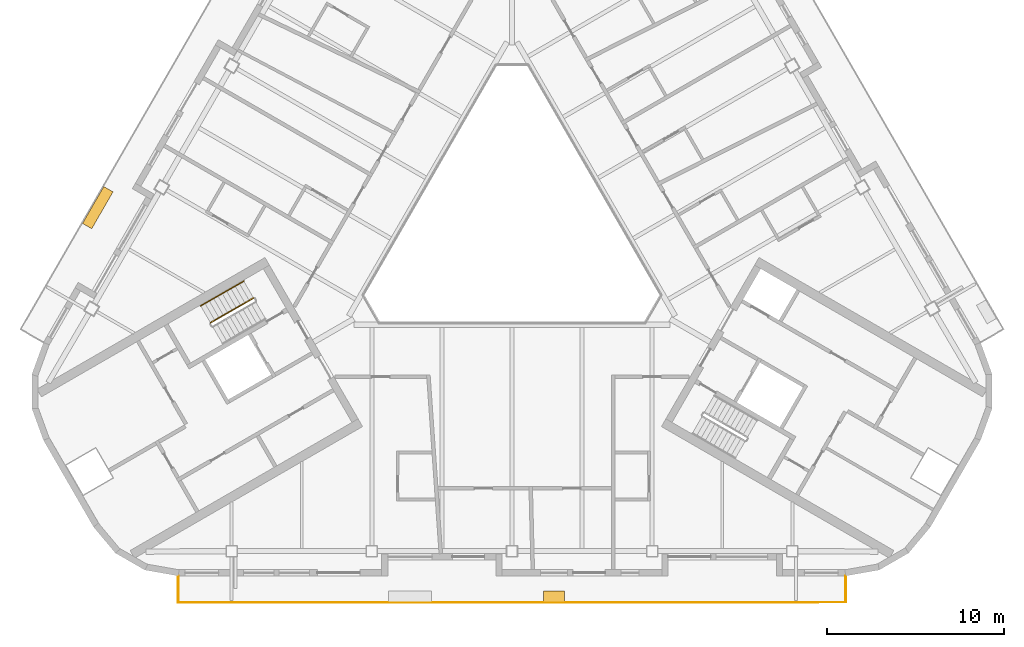
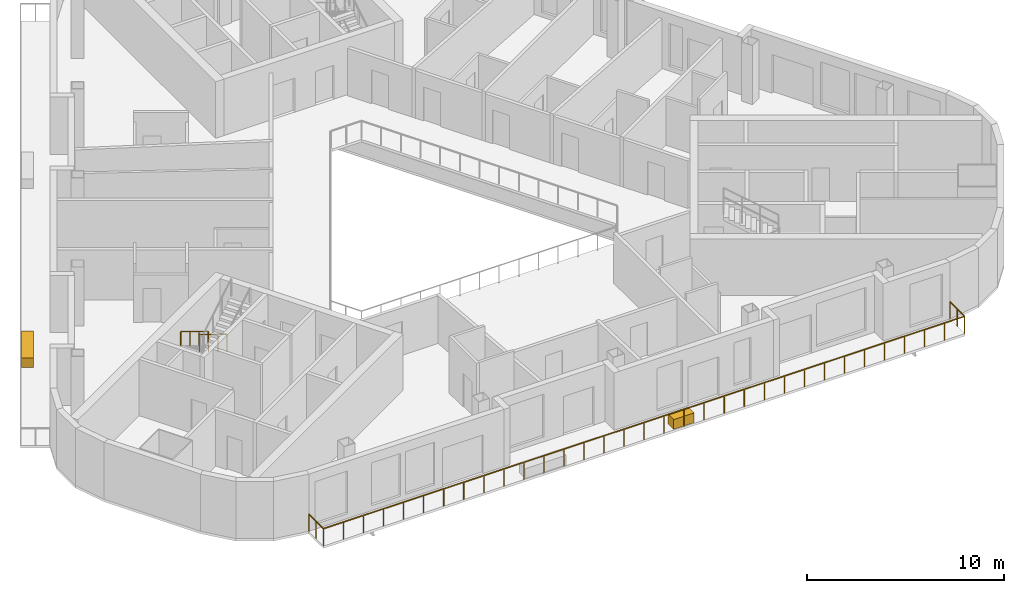
# One storey, part 10 of 14: 3 railings, 2 coverings.
"""IFC4 building model written with IfcOpenShell, lengths in metres."""

from ifc_helpers import new_model, si_unit, direction, frame, origin, origin_2d, place, context, subcontext, project, spatial, rectangle, circle, extrude, material, type_object, element, save


model = new_model("IFC4")

# Units and contexts
model_context = context("Model", 3, precision=1e-05, world=origin(), true_north=direction((0.0, 1.0)))
body_context = subcontext(model_context, "Body", "Model", "MODEL_VIEW")
ifc_project = project(units=[si_unit("LENGTHUNIT", "METRE"), si_unit("AREAUNIT", "SQUARE_METRE"), si_unit("VOLUMEUNIT", "CUBIC_METRE"), si_unit("PLANEANGLEUNIT", "RADIAN"), si_unit("MASSUNIT", "GRAM", prefix="KILO")], contexts=[model_context])

# Site, building, storey
site_placement = place(None, origin())
site = spatial("IfcSite", under=ifc_project, at=site_placement, CompositionType="ELEMENT")
building_placement = place(site_placement, origin())
building = spatial("IfcBuilding", under=site, at=building_placement, Name="Apuvela Tower Hotel", CompositionType="ELEMENT")
storey_placement = place(building_placement, frame((0.0, 0.0, 250.39990234375)))
storey = spatial("IfcBuildingStorey", under=building, at=storey_placement, Name="L61", CompositionType="ELEMENT", Elevation=250.39990234375)

# Railings
ifc_material_1 = material(Name="Steel S275 balustrade", Category="steel")
railing_type_1 = type_object("IfcRailingType", Name="COR-GUARD-1100", PredefinedType="GUARDRAIL", material=ifc_material_1)
railing_1_placement = place(storey_placement, frame((-14.569091796875, -3.9658203125, 0.168212890625)))
element("IfcRailing", 1, at=railing_1_placement, inside=storey, type_object=railing_type_1, Name="L61 ST2 stair guard 1", PredefinedType="GUARDRAIL", context=body_context, shape_type="SweptSolid", body=[
    extrude(rectangle(XDim=0.048095703125, YDim=0.048095703125, at=origin_2d()), frame((0.0, 0.0, 1.076171875), z_axis=(-0.742390482028, -0.42860119049, 0.514934356695), x_axis=(0.49998411664, -0.866034573852, 0.0)), (0.0, 0.0, 1.0), 3.26611328125),
    extrude(rectangle(XDim=0.0419921875, YDim=0.0419921875, at=origin_2d()), origin(), (0.0, 0.0, 1.0), 1.052001953125),
    extrude(rectangle(XDim=0.0419921875, YDim=0.0419921875, at=origin_2d()), frame((-0.808349609375, -0.466552734375, 0.560546875)), (0.0, 0.0, 1.0), 1.052001953125),
    extrude(rectangle(XDim=0.0419921875, YDim=0.0419921875, at=origin_2d()), frame((-1.616455078125, -0.933349609375, 1.121337890625)), (0.0, 0.0, 1.0), 1.052001953125),
    extrude(rectangle(XDim=0.0419921875, YDim=0.0419921875, at=origin_2d()), frame((-2.4248046875, -1.39990234375, 1.681884765625)), (0.0, 0.0, 1.0), 1.052001953125),
])
ifc_material_2 = material(Name="Stainless steel 316 handrail", Category="steel")
railing_type_2 = type_object("IfcRailingType", Name="COR-HANDRAIL-900", PredefinedType="HANDRAIL", material=ifc_material_2)
railing_2_placement = place(storey_placement, frame((-15.118896484375, -3.01318359375, 0.168212890625)))
element("IfcRailing", 2, at=railing_2_placement, inside=storey, type_object=railing_type_2, Name="L61 ST2 stair handrail 1", PredefinedType="HANDRAIL", context=body_context, shape_type="SweptSolid", body=[
    extrude(circle(Radius=0.02392578125, at=origin_2d()), frame((0.0, 0.0, 0.8759765625), z_axis=(-0.742424030051, -0.428577407461, 0.514905783049), x_axis=(0.49994636267, -0.866056369097, 0.0)), (0.0, 0.0, 1.0), 3.266357421875),
    extrude(rectangle(XDim=0.0419921875, YDim=0.0419921875, at=origin_2d()), origin(), (0.0, 0.0, 1.0), 0.851806640625),
    extrude(rectangle(XDim=0.0419921875, YDim=0.0419921875, at=origin_2d()), frame((-0.808349609375, -0.466552734375, 0.560546875)), (0.0, 0.0, 1.0), 0.851806640625),
    extrude(rectangle(XDim=0.0419921875, YDim=0.0419921875, at=origin_2d()), frame((-1.61669921875, -0.933349609375, 1.121337890625)), (0.0, 0.0, 1.0), 0.851806640625),
    extrude(rectangle(XDim=0.0419921875, YDim=0.0419921875, at=origin_2d()), frame((-2.425048828125, -1.39990234375, 1.681884765625)), (0.0, 0.0, 1.0), 0.851806640625),
])
ifc_material_3 = material(Name="Stainless steel 316 rail with laminated glass infill", Category="steel")
railing_type_3 = type_object("IfcRailingType", Name="ENV-GUARD-1100", PredefinedType="GUARDRAIL", material=ifc_material_3)
railing_3_placement = place(storey_placement, frame((-18.81591796875, -19.6298828125, 0.0)))
element("IfcRailing", 3, at=railing_3_placement, inside=storey, type_object=railing_type_3, Name="Balcony guard S L61", PredefinedType="GUARDRAIL", context=body_context, shape_type="SweptSolid", body=[
    extrude(rectangle(XDim=0.050048828125, YDim=0.050048828125, at=origin_2d()), frame((0.0, 0.0, 1.0751953125), z_axis=(0.0, -1.0, 0.0), x_axis=(1.0, 0.0, 0.0)), (0.0, 0.0, 1.0), 1.5),
    extrude(rectangle(XDim=0.050048828125, YDim=0.050048828125, at=origin_2d()), frame((0.0, -1.5, 1.0751953125), z_axis=(1.0, 0.0, 0.0), x_axis=(0.0, 1.0, 0.0)), (0.0, 0.0, 1.0), 37.6318359375),
    extrude(rectangle(XDim=0.050048828125, YDim=0.050048828125, at=origin_2d()), frame((37.6318359375, -1.5, 1.0751953125), z_axis=(0.0, 1.0, 0.0), x_axis=(-1.0, 0.0, 0.0)), (0.0, 0.0, 1.0), 1.5),
    extrude(rectangle(XDim=0.0400390625, YDim=0.0400390625, at=origin_2d()), origin(), (0.0, 0.0, 1.0), 1.050048828125),
    extrude(rectangle(XDim=0.0400390625, YDim=0.0400390625, at=origin_2d()), frame((0.0, -0.75, 0.0)), (0.0, 0.0, 1.0), 1.050048828125),
    extrude(rectangle(XDim=0.0400390625, YDim=0.0400390625, at=origin_2d()), frame((0.0, -1.5, 0.0)), (0.0, 0.0, 1.0), 1.050048828125),
    extrude(rectangle(XDim=0.0400390625, YDim=0.0400390625, at=origin_2d()), frame((1.176025390625, -1.5, 0.0)), (0.0, 0.0, 1.0), 1.050048828125),
    extrude(rectangle(XDim=0.0400390625, YDim=0.0400390625, at=origin_2d()), frame((2.35205078125, -1.5, 0.0)), (0.0, 0.0, 1.0), 1.050048828125),
    extrude(rectangle(XDim=0.0400390625, YDim=0.0400390625, at=origin_2d()), frame((3.528076171875, -1.5, 0.0)), (0.0, 0.0, 1.0), 1.050048828125),
    extrude(rectangle(XDim=0.0400390625, YDim=0.0400390625, at=origin_2d()), frame((4.7041015625, -1.5, 0.0)), (0.0, 0.0, 1.0), 1.050048828125),
    extrude(rectangle(XDim=0.0400390625, YDim=0.0400390625, at=origin_2d()), frame((5.8798828125, -1.5, 0.0)), (0.0, 0.0, 1.0), 1.050048828125),
    extrude(rectangle(XDim=0.0400390625, YDim=0.0400390625, at=origin_2d()), frame((7.055908203125, -1.5, 0.0)), (0.0, 0.0, 1.0), 1.050048828125),
    extrude(rectangle(XDim=0.0400390625, YDim=0.0400390625, at=origin_2d()), frame((8.23193359375, -1.5, 0.0)), (0.0, 0.0, 1.0), 1.050048828125),
    extrude(rectangle(XDim=0.0400390625, YDim=0.0400390625, at=origin_2d()), frame((9.407958984375, -1.5, 0.0)), (0.0, 0.0, 1.0), 1.050048828125),
    extrude(rectangle(XDim=0.0400390625, YDim=0.0400390625, at=origin_2d()), frame((10.583984375, -1.5, 0.0)), (0.0, 0.0, 1.0), 1.050048828125),
    extrude(rectangle(XDim=0.0400390625, YDim=0.0400390625, at=origin_2d()), frame((11.760009765625, -1.5, 0.0)), (0.0, 0.0, 1.0), 1.050048828125),
    extrude(rectangle(XDim=0.0400390625, YDim=0.0400390625, at=origin_2d()), frame((12.93603515625, -1.5, 0.0)), (0.0, 0.0, 1.0), 1.050048828125),
    extrude(rectangle(XDim=0.0400390625, YDim=0.0400390625, at=origin_2d()), frame((14.11181640625, -1.5, 0.0)), (0.0, 0.0, 1.0), 1.050048828125),
    extrude(rectangle(XDim=0.0400390625, YDim=0.0400390625, at=origin_2d()), frame((15.287841796875, -1.5, 0.0)), (0.0, 0.0, 1.0), 1.050048828125),
    extrude(rectangle(XDim=0.0400390625, YDim=0.0400390625, at=origin_2d()), frame((16.4638671875, -1.5, 0.0)), (0.0, 0.0, 1.0), 1.050048828125),
    extrude(rectangle(XDim=0.0400390625, YDim=0.0400390625, at=origin_2d()), frame((17.639892578125, -1.5, 0.0)), (0.0, 0.0, 1.0), 1.050048828125),
    extrude(rectangle(XDim=0.0400390625, YDim=0.0400390625, at=origin_2d()), frame((18.81591796875, -1.5, 0.0)), (0.0, 0.0, 1.0), 1.050048828125),
    extrude(rectangle(XDim=0.0400390625, YDim=0.0400390625, at=origin_2d()), frame((19.991943359375, -1.5, 0.0)), (0.0, 0.0, 1.0), 1.050048828125),
    extrude(rectangle(XDim=0.0400390625, YDim=0.0400390625, at=origin_2d()), frame((21.16796875, -1.5, 0.0)), (0.0, 0.0, 1.0), 1.050048828125),
    extrude(rectangle(XDim=0.0400390625, YDim=0.0400390625, at=origin_2d()), frame((22.343994140625, -1.5, 0.0)), (0.0, 0.0, 1.0), 1.050048828125),
    extrude(rectangle(XDim=0.0400390625, YDim=0.0400390625, at=origin_2d()), frame((23.52001953125, -1.5, 0.0)), (0.0, 0.0, 1.0), 1.050048828125),
    extrude(rectangle(XDim=0.0400390625, YDim=0.0400390625, at=origin_2d()), frame((24.69580078125, -1.5, 0.0)), (0.0, 0.0, 1.0), 1.050048828125),
    extrude(rectangle(XDim=0.0400390625, YDim=0.0400390625, at=origin_2d()), frame((25.871826171875, -1.5, 0.0)), (0.0, 0.0, 1.0), 1.050048828125),
    extrude(rectangle(XDim=0.0400390625, YDim=0.0400390625, at=origin_2d()), frame((27.0478515625, -1.5, 0.0)), (0.0, 0.0, 1.0), 1.050048828125),
    extrude(rectangle(XDim=0.0400390625, YDim=0.0400390625, at=origin_2d()), frame((28.223876953125, -1.5, 0.0)), (0.0, 0.0, 1.0), 1.050048828125),
    extrude(rectangle(XDim=0.0400390625, YDim=0.0400390625, at=origin_2d()), frame((29.39990234375, -1.5, 0.0)), (0.0, 0.0, 1.0), 1.050048828125),
    extrude(rectangle(XDim=0.0400390625, YDim=0.0400390625, at=origin_2d()), frame((30.575927734375, -1.5, 0.0)), (0.0, 0.0, 1.0), 1.050048828125),
    extrude(rectangle(XDim=0.0400390625, YDim=0.0400390625, at=origin_2d()), frame((31.751953125, -1.5, 0.0)), (0.0, 0.0, 1.0), 1.050048828125),
    extrude(rectangle(XDim=0.0400390625, YDim=0.0400390625, at=origin_2d()), frame((32.927734375, -1.5, 0.0)), (0.0, 0.0, 1.0), 1.050048828125),
    extrude(rectangle(XDim=0.0400390625, YDim=0.0400390625, at=origin_2d()), frame((34.103759765625, -1.5, 0.0)), (0.0, 0.0, 1.0), 1.050048828125),
    extrude(rectangle(XDim=0.0400390625, YDim=0.0400390625, at=origin_2d()), frame((35.27978515625, -1.5, 0.0)), (0.0, 0.0, 1.0), 1.050048828125),
    extrude(rectangle(XDim=0.0400390625, YDim=0.0400390625, at=origin_2d()), frame((36.455810546875, -1.5, 0.0)), (0.0, 0.0, 1.0), 1.050048828125),
    extrude(rectangle(XDim=0.0400390625, YDim=0.0400390625, at=origin_2d()), frame((37.6318359375, -1.5, 0.0)), (0.0, 0.0, 1.0), 1.050048828125),
    extrude(rectangle(XDim=0.0400390625, YDim=0.0400390625, at=origin_2d()), frame((37.6318359375, -0.75, 0.0)), (0.0, 0.0, 1.0), 1.050048828125),
    extrude(rectangle(XDim=0.0400390625, YDim=0.0400390625, at=origin_2d()), frame((37.6318359375, 0.0, 0.0)), (0.0, 0.0, 1.0), 1.050048828125),
])

# Coverings
ifc_material_4 = material(Name="Planting substrate and soil, planted")
covering_type_1 = type_object("IfcCoveringType", Name="ENV-PLANTER-1200x600", PredefinedType="USERDEFINED", material=ifc_material_4)
covering_1_placement = place(storey_placement, frame((2.369384765625, -20.780029296875, 0.0), z_axis=(0.0, 0.0, 1.0), x_axis=(1.0, 0.0, 0.0)))
element("IfcCovering", 4, at=covering_1_placement, inside=storey, type_object=covering_type_1, Name="Planter S2", ObjectType="PLANTER", PredefinedType="USERDEFINED", context=body_context, shape_type="SweptSolid", body=[
    extrude(rectangle(XDim=1.199951171875, YDim=0.60009765625, at=origin_2d()), origin(), (0.0, 0.0, 1.0), 0.60009765625),
])
covering_type_2 = type_object("IfcCoveringType", Name="ENV-PLANTER-2400x600", PredefinedType="USERDEFINED", material=ifc_material_4)
covering_2_placement = place(storey_placement, frame((-23.345947265625, 1.12353515625, 0.0), z_axis=(0.0, 0.0, 1.0), x_axis=(-0.5, -0.866025403784, 0.0)))
element("IfcCovering", 5, at=covering_2_placement, inside=storey, type_object=covering_type_2, Name="Planter NW6", ObjectType="PLANTER", PredefinedType="USERDEFINED", context=body_context, shape_type="SweptSolid", body=[
    extrude(rectangle(XDim=2.39990234375, YDim=0.60009765625, at=origin_2d()), origin(), (0.0, 0.0, 1.0), 0.60009765625),
])

save(model, "model.ifc")
